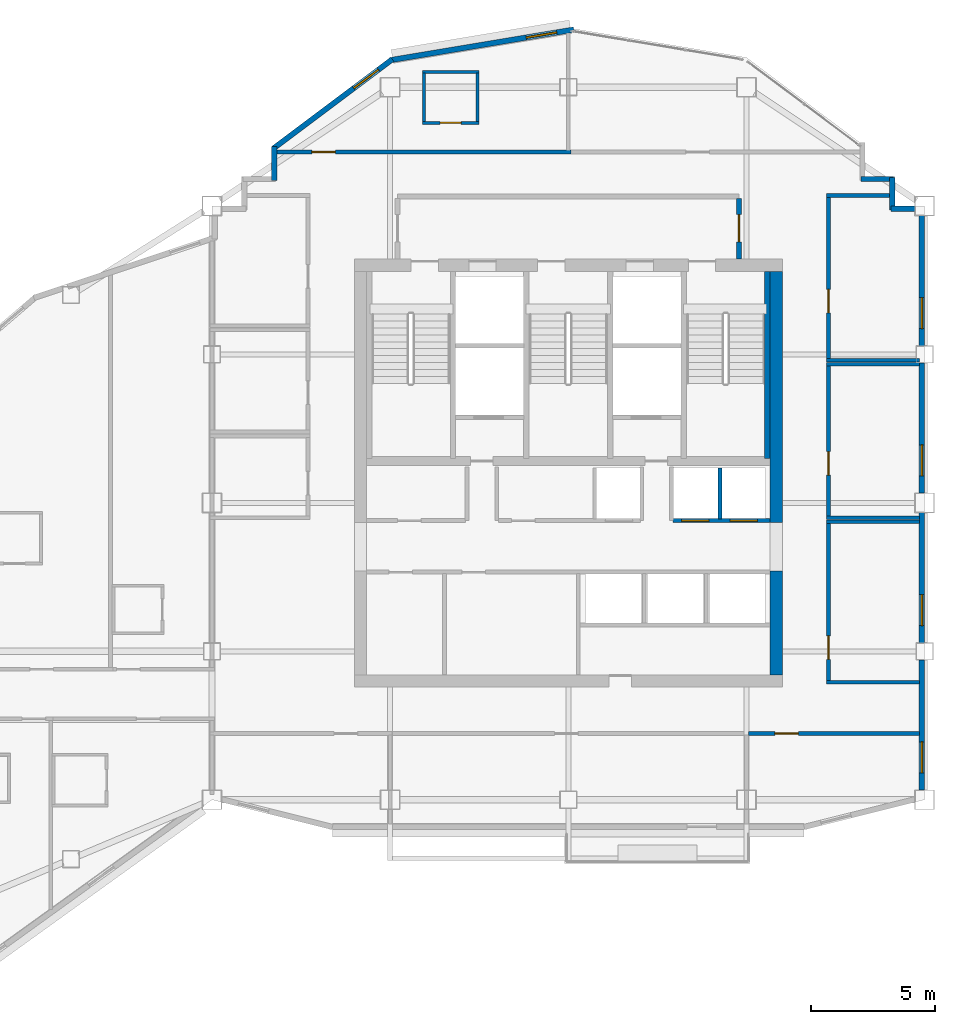
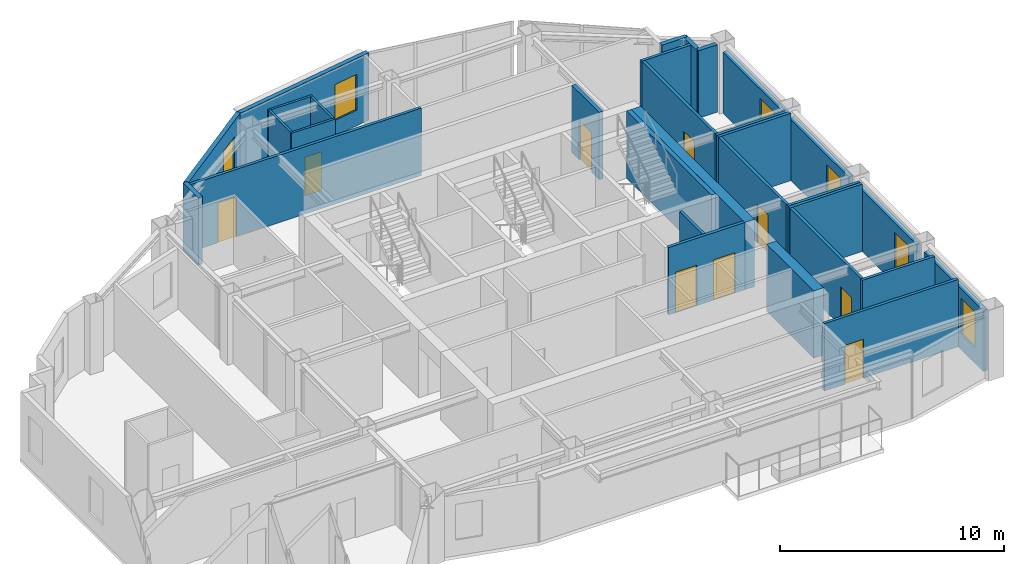
# One storey, part 7 of 10: 31 walls, 9 doors, 6 windows, 15 openings.
"""IFC4 building model written with IfcOpenShell, lengths in metres."""

from ifc_helpers import new_model, si_unit, direction, frame, frame_2d, origin, place, context, subcontext, project, spatial, rectangle, extrude, material, layer, layer_set, type_object, element, fill, save


model = new_model("IFC4")

# Units and contexts
model_context = context("Model", 3, precision=1e-05, world=origin(), true_north=direction((0.0, 1.0)))
body_context = subcontext(model_context, "Body", "Model", "MODEL_VIEW")
ifc_project = project(units=[si_unit("LENGTHUNIT", "METRE"), si_unit("AREAUNIT", "SQUARE_METRE"), si_unit("VOLUMEUNIT", "CUBIC_METRE"), si_unit("PLANEANGLEUNIT", "RADIAN"), si_unit("MASSUNIT", "GRAM", prefix="KILO")], contexts=[model_context])

# Site, building, storey
site_placement = place(None, origin())
site = spatial("IfcSite", under=ifc_project, at=site_placement, CompositionType="ELEMENT")
building_placement = place(site_placement, origin())
building = spatial("IfcBuilding", under=site, at=building_placement, Name="Haolan Belvedere Tower", CompositionType="ELEMENT")
storey_placement = place(building_placement, frame((0.0, 0.0, 246.75)))
storey = spatial("IfcBuildingStorey", under=building, at=storey_placement, Name="L62", CompositionType="ELEMENT", Elevation=246.75)

# Walls
ifc_material_1 = material(Name="Concrete C50/60", Category="concrete")
ifc_layer_1 = layer(ifc_material_1, 0.5, Name="Concrete C50/60")
ifc_layer_set_1 = layer_set([ifc_layer_1], Name="Concrete C50/60")
wall_type_1 = type_object("IfcWallType", Name="WL-CORE-500", PredefinedType="SHEAR", material=ifc_layer_set_1)
wall_1_placement = place(storey_placement, frame((46.800048828125, 26.64990234375, 0.0), z_axis=(0.0, 0.0, 1.0), x_axis=(0.0, 1.0, 0.0)))
element("IfcWall", 1, at=wall_1_placement, inside=storey, type_object=wall_type_1, Name="L62 central core shear wall ES", PredefinedType="SHEAR", context=body_context, shape_type="SweptSolid", body=[
    extrude(rectangle(XDim=4.2001953125, YDim=0.5, at=frame_2d((2.10009765625, 0.0))), origin(), (0.0, 0.0, 1.0), 3.669921875),
])
wall_2_placement = place(storey_placement, frame((46.800048828125, 32.800048828125, 0.0), z_axis=(0.0, 0.0, 1.0), x_axis=(0.0, 1.0, 0.0)))
element("IfcWall", 2, at=wall_2_placement, inside=storey, type_object=wall_type_1, Name="L62 central core shear wall EN", PredefinedType="SHEAR", context=body_context, shape_type="SweptSolid", body=[
    extrude(rectangle(XDim=10.14990234375, YDim=0.5, at=frame_2d((5.074951171875, 0.0))), origin(), (0.0, 0.0, 1.0), 3.669921875),
])

# Wall, opening, window
ifc_material_2 = material(Name="Precast concrete C40/50", Category="concrete")
ifc_layer_2 = layer(ifc_material_2, 0.219970703125, Name="Precast concrete C40/50")
ifc_layer_set_2 = layer_set([ifc_layer_2], Name="Precast concrete C40/50")
wall_type_2 = type_object("IfcWallType", Name="WL-EXT-220", PredefinedType="SOLIDWALL", material=ifc_layer_set_2)
wall_3_placement = place(storey_placement, frame((52.68994140625, 21.991943359375, 0.0), z_axis=(0.0, 0.0, 1.0), x_axis=(0.0, 1.0, 0.0)))
wall_3 = element("IfcWall", 3, at=wall_3_placement, inside=storey, type_object=wall_type_2, Name="L62 pale-metal exterior spandrel wall 3.1", PredefinedType="SOLIDWALL", context=body_context, shape_type="SweptSolid", body=[
    extrude(rectangle(XDim=5.26611328125, YDim=0.219970703125, at=frame_2d((2.633056640625, 0.0))), origin(), (0.0, 0.0, 1.0), 3.31494140625),
])
opening_1_placement = place(wall_3_placement, frame((0.699951171875, 0.0, 0.85009765625)))
opening_1 = element("IfcOpeningElement", 4, at=opening_1_placement, cuts=wall_3, Name="Opening W-04", PredefinedType="OPENING", context=body_context, shape_type="SweptSolid", body=[
    extrude(rectangle(XDim=1.25, YDim=1.949951171875, at=frame_2d((0.625, 0.97509765625))), frame((0.0, 0.119873046875, 0.0), z_axis=(0.0, -1.0, 0.0), x_axis=(1.0, 0.0, 0.0)), (0.0, 0.0, 1.0), 0.239990234375),
])
ifc_material_3 = material(Name="Anodised aluminium 6063-T6 and Low-E glass", Category="aluminium")
window_type = type_object("IfcWindowType", Name="WN-DECO-Z4", PartitioningType="SINGLE_PANEL", PredefinedType="WINDOW", material=ifc_material_3)
window_1_placement = place(opening_1_placement, origin())
window_1 = element("IfcWindow", 5, at=window_1_placement, inside=storey, type_object=window_type, Name="L62 Art Deco chevron window 1", OverallHeight=1.949951171875, OverallWidth=1.25, PartitioningType="SINGLE_PANEL", PredefinedType="WINDOW", context=body_context, shape_type="SweptSolid", body=[
    extrude(rectangle(XDim=1.25, YDim=1.949951171875, at=frame_2d((0.625, 0.97509765625))), frame((0.0, 0.030029296875, 0.0), z_axis=(0.0, -1.0, 0.0), x_axis=(1.0, 0.0, 0.0)), (0.0, 0.0, 1.0), 0.06005859375),
])
fill(opening_1, window_1)

wall_4_placement = place(storey_placement, frame((52.68994140625, 27.94189453125, 0.0), z_axis=(0.0, 0.0, 1.0), x_axis=(0.0, 1.0, 0.0)))
wall_4 = element("IfcWall", 6, at=wall_4_placement, inside=storey, type_object=wall_type_2, Name="L62 pale-metal exterior spandrel wall 3.2", PredefinedType="SOLIDWALL", context=body_context, shape_type="SweptSolid", body=[
    extrude(rectangle(XDim=5.26611328125, YDim=0.219970703125, at=frame_2d((2.633056640625, 0.0))), origin(), (0.0, 0.0, 1.0), 3.31494140625),
])
opening_2_placement = place(wall_4_placement, frame((0.699951171875, 0.0, 0.85009765625)))
opening_2 = element("IfcOpeningElement", 7, at=opening_2_placement, cuts=wall_4, Name="Opening W-04", PredefinedType="OPENING", context=body_context, shape_type="SweptSolid", body=[
    extrude(rectangle(XDim=1.25, YDim=1.949951171875, at=frame_2d((0.625, 0.97509765625))), frame((0.0, 0.119873046875, 0.0), z_axis=(0.0, -1.0, 0.0), x_axis=(1.0, 0.0, 0.0)), (0.0, 0.0, 1.0), 0.239990234375),
])
window_2_placement = place(opening_2_placement, origin())
window_2 = element("IfcWindow", 8, at=window_2_placement, inside=storey, type_object=window_type, Name="L62 Art Deco chevron window 1", OverallHeight=1.949951171875, OverallWidth=1.25, PartitioningType="SINGLE_PANEL", PredefinedType="WINDOW", context=body_context, shape_type="SweptSolid", body=[
    extrude(rectangle(XDim=1.25, YDim=1.949951171875, at=frame_2d((0.625, 0.97509765625))), frame((0.0, 0.030029296875, 0.0), z_axis=(0.0, -1.0, 0.0), x_axis=(1.0, 0.0, 0.0)), (0.0, 0.0, 1.0), 0.06005859375),
])
fill(opening_2, window_2)

wall_5_placement = place(storey_placement, frame((52.68994140625, 33.991943359375, 0.0), z_axis=(0.0, 0.0, 1.0), x_axis=(0.0, 1.0, 0.0)))
wall_5 = element("IfcWall", 9, at=wall_5_placement, inside=storey, type_object=wall_type_2, Name="L62 pale-metal exterior spandrel wall 3.3", PredefinedType="SOLIDWALL", context=body_context, shape_type="SweptSolid", body=[
    extrude(rectangle(XDim=5.26611328125, YDim=0.219970703125, at=frame_2d((2.633056640625, 0.0))), origin(), (0.0, 0.0, 1.0), 3.31494140625),
])
opening_3_placement = place(wall_5_placement, frame((0.699951171875, 0.0, 0.85009765625)))
opening_3 = element("IfcOpeningElement", 10, at=opening_3_placement, cuts=wall_5, Name="Opening W-04", PredefinedType="OPENING", context=body_context, shape_type="SweptSolid", body=[
    extrude(rectangle(XDim=1.25, YDim=1.949951171875, at=frame_2d((0.625, 0.97509765625))), frame((0.0, 0.119873046875, 0.0), z_axis=(0.0, -1.0, 0.0), x_axis=(1.0, 0.0, 0.0)), (0.0, 0.0, 1.0), 0.239990234375),
])
window_3_placement = place(opening_3_placement, origin())
window_3 = element("IfcWindow", 11, at=window_3_placement, inside=storey, type_object=window_type, Name="L62 Art Deco chevron window 1", OverallHeight=1.949951171875, OverallWidth=1.25, PartitioningType="SINGLE_PANEL", PredefinedType="WINDOW", context=body_context, shape_type="SweptSolid", body=[
    extrude(rectangle(XDim=1.25, YDim=1.949951171875, at=frame_2d((0.625, 0.97509765625))), frame((0.0, 0.030029296875, 0.0), z_axis=(0.0, -1.0, 0.0), x_axis=(1.0, 0.0, 0.0)), (0.0, 0.0, 1.0), 0.06005859375),
])
fill(opening_3, window_3)

wall_6_placement = place(storey_placement, frame((52.68994140625, 39.94189453125, 0.0), z_axis=(0.0, 0.0, 1.0), x_axis=(0.0, 1.0, 0.0)))
wall_6 = element("IfcWall", 12, at=wall_6_placement, inside=storey, type_object=wall_type_2, Name="L62 pale-metal exterior spandrel wall 3.4", PredefinedType="SOLIDWALL", context=body_context, shape_type="SweptSolid", body=[
    extrude(rectangle(XDim=5.26611328125, YDim=0.219970703125, at=frame_2d((2.633056640625, 0.0))), origin(), (0.0, 0.0, 1.0), 3.31494140625),
])
opening_4_placement = place(wall_6_placement, frame((0.699951171875, 0.0, 0.85009765625)))
opening_4 = element("IfcOpeningElement", 13, at=opening_4_placement, cuts=wall_6, Name="Opening W-04", PredefinedType="OPENING", context=body_context, shape_type="SweptSolid", body=[
    extrude(rectangle(XDim=1.25, YDim=1.949951171875, at=frame_2d((0.625, 0.97509765625))), frame((0.0, 0.119873046875, 0.0), z_axis=(0.0, -1.0, 0.0), x_axis=(1.0, 0.0, 0.0)), (0.0, 0.0, 1.0), 0.239990234375),
])
window_4_placement = place(opening_4_placement, origin())
window_4 = element("IfcWindow", 14, at=window_4_placement, inside=storey, type_object=window_type, Name="L62 Art Deco chevron window 1", OverallHeight=1.949951171875, OverallWidth=1.25, PartitioningType="SINGLE_PANEL", PredefinedType="WINDOW", context=body_context, shape_type="SweptSolid", body=[
    extrude(rectangle(XDim=1.25, YDim=1.949951171875, at=frame_2d((0.625, 0.97509765625))), frame((0.0, 0.030029296875, 0.0), z_axis=(0.0, -1.0, 0.0), x_axis=(1.0, 0.0, 0.0)), (0.0, 0.0, 1.0), 0.06005859375),
])
fill(opening_4, window_4)

# Walls
wall_7_placement = place(storey_placement, frame((52.407958984375, 45.489990234375, 0.0), z_axis=(0.0, 0.0, 1.0), x_axis=(-1.0, 0.0, 0.0)))
element("IfcWall", 15, at=wall_7_placement, inside=storey, type_object=wall_type_2, Name="L62 pale-metal exterior spandrel wall 4.1", PredefinedType="SOLIDWALL", context=body_context, shape_type="SweptSolid", body=[
    extrude(rectangle(XDim=0.972900390625, YDim=0.219970703125, at=frame_2d((0.486328125, 0.0))), origin(), (0.0, 0.0, 1.0), 3.669921875),
])
wall_8_placement = place(storey_placement, frame((51.489990234375, 45.43505859375, 0.0), z_axis=(0.0, 0.0, 1.0), x_axis=(0.0, 1.0, 0.0)))
element("IfcWall", 16, at=wall_8_placement, inside=storey, type_object=wall_type_2, Name="L62 pale-metal exterior spandrel wall 5.1", PredefinedType="SOLIDWALL", context=body_context, shape_type="SweptSolid", body=[
    extrude(rectangle(XDim=1.31005859375, YDim=0.219970703125, at=frame_2d((0.655029296875, 0.0))), origin(), (0.0, 0.0, 1.0), 3.669921875),
])
wall_9_placement = place(storey_placement, frame((51.544921875, 46.68994140625, 0.0), z_axis=(0.0, 0.0, 1.0), x_axis=(-1.0, 0.0, 0.0)))
element("IfcWall", 17, at=wall_9_placement, inside=storey, type_object=wall_type_2, Name="L62 pale-metal exterior spandrel wall 6.1", PredefinedType="SOLIDWALL", context=body_context, shape_type="SweptSolid", body=[
    extrude(rectangle(XDim=1.309814453125, YDim=0.219970703125, at=frame_2d((0.65478515625, 0.0))), origin(), (0.0, 0.0, 1.0), 3.669921875),
])

# Wall, opening, window
wall_10_placement = place(storey_placement, frame((38.621826171875, 52.7255859375, 0.0), z_axis=(0.0, 0.0, 1.0), x_axis=(-0.986390420428, -0.164420006349, 0.0)))
wall_10 = element("IfcWall", 18, at=wall_10_placement, inside=storey, type_object=wall_type_2, Name="L62 pale-metal exterior spandrel wall 10.1", PredefinedType="SOLIDWALL", context=body_context, shape_type="SweptSolid", body=[
    extrude(rectangle(XDim=7.5341796875, YDim=0.219970703125, at=frame_2d((3.76708984375, 0.0))), origin(), (0.0, 0.0, 1.0), 3.669921875),
])
opening_5_placement = place(wall_10_placement, frame((0.699951171875, 0.0, 0.85009765625)))
opening_5 = element("IfcOpeningElement", 19, at=opening_5_placement, cuts=wall_10, Name="Opening W-04", PredefinedType="OPENING", context=body_context, shape_type="SweptSolid", body=[
    extrude(rectangle(XDim=1.25, YDim=1.949951171875, at=frame_2d((0.625, 0.97509765625))), frame((0.0, 0.119873046875, 0.0), z_axis=(0.0, -1.0, 0.0), x_axis=(1.0, 0.0, 0.0)), (0.0, 0.0, 1.0), 0.239990234375),
])
window_5_placement = place(opening_5_placement, origin())
window_5 = element("IfcWindow", 20, at=window_5_placement, inside=storey, type_object=window_type, Name="L62 Art Deco chevron window 1", OverallHeight=1.949951171875, OverallWidth=1.25, PartitioningType="SINGLE_PANEL", PredefinedType="WINDOW", context=body_context, shape_type="SweptSolid", body=[
    extrude(rectangle(XDim=1.25, YDim=1.949951171875, at=frame_2d((0.625, 0.97509765625))), frame((0.0, 0.030029296875, 0.0), z_axis=(0.0, -1.0, 0.0), x_axis=(1.0, 0.0, 0.0)), (0.0, 0.0, 1.0), 0.06005859375),
])
fill(opening_5, window_5)

wall_11_placement = place(storey_placement, frame((31.28857421875, 51.52880859375, 0.0), z_axis=(0.0, 0.0, 1.0), x_axis=(-0.800014580093, -0.599980559383, 0.0)))
wall_11 = element("IfcWall", 21, at=wall_11_placement, inside=storey, type_object=wall_type_2, Name="L62 pale-metal exterior spandrel wall 11.1", PredefinedType="SOLIDWALL", context=body_context, shape_type="SweptSolid", body=[
    extrude(rectangle(XDim=6.028076171875, YDim=0.219970703125, at=frame_2d((3.01416015625, 0.0))), origin(), (0.0, 0.0, 1.0), 3.669921875),
])
opening_6_placement = place(wall_11_placement, frame((0.699951171875, 0.0, 0.85009765625)))
opening_6 = element("IfcOpeningElement", 22, at=opening_6_placement, cuts=wall_11, Name="Opening W-04", PredefinedType="OPENING", context=body_context, shape_type="SweptSolid", body=[
    extrude(rectangle(XDim=1.25, YDim=1.949951171875, at=frame_2d((0.625, 0.97509765625))), frame((0.0, 0.119873046875, 0.0), z_axis=(0.0, -1.0, 0.0), x_axis=(1.0, 0.0, 0.0)), (0.0, 0.0, 1.0), 0.239990234375),
])
window_6_placement = place(opening_6_placement, origin())
window_6 = element("IfcWindow", 23, at=window_6_placement, inside=storey, type_object=window_type, Name="L62 Art Deco chevron window 1", OverallHeight=1.949951171875, OverallWidth=1.25, PartitioningType="SINGLE_PANEL", PredefinedType="WINDOW", context=body_context, shape_type="SweptSolid", body=[
    extrude(rectangle(XDim=1.25, YDim=1.949951171875, at=frame_2d((0.625, 0.97509765625))), frame((0.0, 0.030029296875, 0.0), z_axis=(0.0, -1.0, 0.0), x_axis=(1.0, 0.0, 0.0)), (0.0, 0.0, 1.0), 0.06005859375),
])
fill(opening_6, window_6)

# Wall
wall_12_placement = place(storey_placement, frame((26.510009765625, 48.0, 0.0), z_axis=(0.0, 0.0, 1.0), x_axis=(0.0, -1.0, 0.0)))
element("IfcWall", 24, at=wall_12_placement, inside=storey, type_object=wall_type_2, Name="L62 pale-metal exterior spandrel wall 12.1", PredefinedType="SOLIDWALL", context=body_context, shape_type="SweptSolid", body=[
    extrude(rectangle(XDim=1.364990234375, YDim=0.219970703125, at=frame_2d((0.6826171875, 0.0))), origin(), (0.0, 0.0, 1.0), 3.669921875),
])

# Wall, opening, door
ifc_material_4 = material(Name="Concrete C40/50", Category="concrete")
ifc_layer_3 = layer(ifc_material_4, 0.199951171875, Name="Concrete C40/50")
ifc_layer_set_3 = layer_set([ifc_layer_3], Name="Concrete C40/50")
wall_type_3 = type_object("IfcWallType", Name="WL-FIRE-200", PredefinedType="SOLIDWALL", material=ifc_layer_set_3)
wall_13_placement = place(storey_placement, frame((45.300048828125, 43.449951171875, 0.0), z_axis=(0.0, 0.0, 1.0), x_axis=(0.0, 1.0, 0.0)))
wall_13 = element("IfcWall", 25, at=wall_13_placement, inside=storey, type_object=wall_type_3, Name="L62 interior partition IW-L62-FFL-E", PredefinedType="SOLIDWALL", context=body_context, shape_type="SweptSolid", body=[
    extrude(rectangle(XDim=2.445068359375, YDim=0.199951171875, at=frame_2d((1.22265625, 0.0))), origin(), (0.0, 0.0, 1.0), 3.669921875),
])
opening_7_placement = place(wall_13_placement, frame((0.699951171875, 0.0, 0.0)))
opening_7 = element("IfcOpeningElement", 26, at=opening_7_placement, cuts=wall_13, Name="Opening FD-03", PredefinedType="OPENING", context=body_context, shape_type="SweptSolid", body=[
    extrude(rectangle(XDim=1.10009765625, YDim=2.14990234375, at=frame_2d((0.550048828125, 1.074951171875))), frame((0.0, 0.10986328125, 0.0), z_axis=(0.0, -1.0, 0.0), x_axis=(1.0, 0.0, 0.0)), (0.0, 0.0, 1.0), 0.219970703125),
])
ifc_material_5 = material(Name="Galvanised fire-rated steel", Category="steel")
door_type_1 = type_object("IfcDoorType", Name="DR-FD90-1100", OperationType="NOTDEFINED", PredefinedType="DOOR", material=ifc_material_5)
door_1_placement = place(opening_7_placement, origin())
door_1 = element("IfcDoor", 27, at=door_1_placement, inside=storey, type_object=door_type_1, Name="L62 door ID-L62-FFL-DE", OperationType="SINGLE_SWING_RIGHT", OverallHeight=2.14990234375, OverallWidth=1.10009765625, PredefinedType="DOOR", context=body_context, shape_type="SweptSolid", body=[
    extrude(rectangle(XDim=1.10009765625, YDim=2.14990234375, at=frame_2d((0.550048828125, 1.074951171875))), frame((0.0, 0.02490234375, 0.0), z_axis=(0.0, -1.0, 0.0), x_axis=(1.0, 0.0, 0.0)), (0.0, 0.0, 1.0), 0.050048828125),
])
fill(opening_7, door_1)

# Walls
ifc_material_6 = material(Name="Double gypsum acoustic stud partition", Category="masonry")
ifc_layer_4 = layer(ifc_material_6, 0.14990234375, Name="Double gypsum acoustic stud partition")
ifc_layer_set_4 = layer_set([ifc_layer_4], Name="Double gypsum acoustic stud partition")
wall_type_4 = type_object("IfcWallType", Name="WL-PART-150", PredefinedType="PARTITIONING", material=ifc_layer_set_4)
for number, where, z_axis, x_axis, name in (
    (28, (48.840087890625, 39.199951171875, 0.0), (0.0, 0.0, 1.0), (1.0, 0.0, 0.0), "L62 interior partition IW-L62-HSK-N"),
    (29, (48.840087890625, 33.0, 0.0), (0.0, 0.0, 1.0), (1.0, 0.0, 0.0), "L62 interior partition IW-L62-HSK-S"),
):
    element("IfcWall", number, at=place(storey_placement, frame(where, z_axis=z_axis, x_axis=x_axis)), inside=storey, type_object=wall_type_4, Name=name, PredefinedType="PARTITIONING", context=body_context, shape_type="SweptSolid", body=[
        extrude(rectangle(XDim=3.747802734375, YDim=0.14990234375, at=frame_2d((1.8740234375, 0.0))), origin(), (0.0, 0.0, 1.0), 3.669921875),
    ])

# Wall, opening, door
wall_14_placement = place(storey_placement, frame((48.919921875, 33.06005859375, 0.0), z_axis=(0.0, 0.0, 1.0), x_axis=(0.0, 1.0, 0.0)))
wall_14 = element("IfcWall", 30, at=wall_14_placement, inside=storey, type_object=wall_type_4, Name="L62 interior partition IW-L62-HSK-W", PredefinedType="PARTITIONING", context=body_context, shape_type="SweptSolid", body=[
    extrude(rectangle(XDim=6.079833984375, YDim=0.14990234375, at=frame_2d((3.0400390625, 0.0))), origin(), (0.0, 0.0, 1.0), 3.669921875),
])
opening_8_placement = place(wall_14_placement, frame((1.659912109375, 0.0, 0.0)))
opening_8 = element("IfcOpeningElement", 31, at=opening_8_placement, cuts=wall_14, Name="Opening ID-03", PredefinedType="OPENING", context=body_context, shape_type="SweptSolid", body=[
    extrude(rectangle(XDim=0.949951171875, YDim=2.1201171875, at=frame_2d((0.47509765625, 1.06005859375))), frame((0.0, 0.0849609375, 0.0), z_axis=(0.0, -1.0, 0.0), x_axis=(1.0, 0.0, 0.0)), (0.0, 0.0, 1.0), 0.169921875),
])
ifc_material_7 = material(Name="Painted solid-core timber", Category="wood")
door_type_2 = type_object("IfcDoorType", Name="DR-INT-950", OperationType="NOTDEFINED", PredefinedType="DOOR", material=ifc_material_7)
door_2_placement = place(opening_8_placement, origin())
door_2 = element("IfcDoor", 32, at=door_2_placement, inside=storey, type_object=door_type_2, Name="L62 door ID-L62-HSK", OperationType="SINGLE_SWING_RIGHT", OverallHeight=2.1201171875, OverallWidth=0.949951171875, PredefinedType="DOOR", context=body_context, shape_type="SweptSolid", body=[
    extrude(rectangle(XDim=0.949951171875, YDim=2.1201171875, at=frame_2d((0.47509765625, 1.06005859375))), frame((0.0, 0.02490234375, 0.0), z_axis=(0.0, -1.0, 0.0), x_axis=(1.0, 0.0, 0.0)), (0.0, 0.0, 1.0), 0.050048828125),
])
fill(opening_8, door_2)

# Walls
wall_15_placement = place(storey_placement, frame((48.840087890625, 46.02001953125, 0.0), z_axis=(0.0, 0.0, 1.0), x_axis=(1.0, 0.0, 0.0)))
element("IfcWall", 33, at=wall_15_placement, inside=storey, type_object=wall_type_4, Name="L62 interior partition IW-L62-MTG-N", PredefinedType="PARTITIONING", context=body_context, shape_type="SweptSolid", body=[
    extrude(rectangle(XDim=2.5478515625, YDim=0.14990234375, at=frame_2d((1.27392578125, 0.0))), origin(), (0.0, 0.0, 1.0), 3.669921875),
])
wall_16_placement = place(storey_placement, frame((48.840087890625, 39.360107421875, 0.0), z_axis=(0.0, 0.0, 1.0), x_axis=(1.0, 0.0, 0.0)))
element("IfcWall", 34, at=wall_16_placement, inside=storey, type_object=wall_type_4, Name="L62 interior partition IW-L62-MTG-S", PredefinedType="PARTITIONING", context=body_context, shape_type="SweptSolid", body=[
    extrude(rectangle(XDim=3.747802734375, YDim=0.14990234375, at=frame_2d((1.8740234375, 0.0))), origin(), (0.0, 0.0, 1.0), 3.669921875),
])

# Wall, opening, door
wall_17_placement = place(storey_placement, frame((48.919921875, 39.419921875, 0.0), z_axis=(0.0, 0.0, 1.0), x_axis=(0.0, 1.0, 0.0)))
wall_17 = element("IfcWall", 35, at=wall_17_placement, inside=storey, type_object=wall_type_4, Name="L62 interior partition IW-L62-MTG-W", PredefinedType="PARTITIONING", context=body_context, shape_type="SweptSolid", body=[
    extrude(rectangle(XDim=6.5400390625, YDim=0.14990234375, at=frame_2d((3.27001953125, 0.0))), origin(), (0.0, 0.0, 1.0), 3.669921875),
])
opening_9_placement = place(wall_17_placement, frame((1.860107421875, 0.0, 0.0)))
opening_9 = element("IfcOpeningElement", 36, at=opening_9_placement, cuts=wall_17, Name="Opening ID-03", PredefinedType="OPENING", context=body_context, shape_type="SweptSolid", body=[
    extrude(rectangle(XDim=0.949951171875, YDim=2.1201171875, at=frame_2d((0.47509765625, 1.06005859375))), frame((0.0, 0.0849609375, 0.0), z_axis=(0.0, -1.0, 0.0), x_axis=(1.0, 0.0, 0.0)), (0.0, 0.0, 1.0), 0.169921875),
])
door_3_placement = place(opening_9_placement, origin())
door_3 = element("IfcDoor", 37, at=door_3_placement, inside=storey, type_object=door_type_2, Name="L62 door ID-L62-MTG", OperationType="SINGLE_SWING_LEFT", OverallHeight=2.1201171875, OverallWidth=0.949951171875, PredefinedType="DOOR", context=body_context, shape_type="SweptSolid", body=[
    extrude(rectangle(XDim=0.949951171875, YDim=2.1201171875, at=frame_2d((0.47509765625, 1.06005859375))), frame((0.0, 0.02490234375, 0.0), z_axis=(0.0, -1.0, 0.0), x_axis=(1.0, 0.0, 0.0)), (0.0, 0.0, 1.0), 0.050048828125),
])
fill(opening_9, door_3)

# Walls
for number, where, z_axis, x_axis, name in (
    (38, (48.840087890625, 32.840087890625, 0.0), (0.0, 0.0, 1.0), (1.0, 0.0, 0.0), "L62 interior partition IW-L62-PKTE-N"),
    (39, (48.840087890625, 26.35009765625, 0.0), (0.0, 0.0, 1.0), (1.0, 0.0, 0.0), "L62 interior partition IW-L62-PKTE-S"),
):
    element("IfcWall", number, at=place(storey_placement, frame(where, z_axis=z_axis, x_axis=x_axis)), inside=storey, type_object=wall_type_4, Name=name, PredefinedType="PARTITIONING", context=body_context, shape_type="SweptSolid", body=[
        extrude(rectangle(XDim=3.747802734375, YDim=0.14990234375, at=frame_2d((1.8740234375, 0.0))), origin(), (0.0, 0.0, 1.0), 3.669921875),
    ])

# Wall, opening, door
wall_18_placement = place(storey_placement, frame((48.919921875, 26.409912109375, 0.0), z_axis=(0.0, 0.0, 1.0), x_axis=(0.0, 1.0, 0.0)))
wall_18 = element("IfcWall", 40, at=wall_18_placement, inside=storey, type_object=wall_type_4, Name="L62 interior partition IW-L62-PKTE-W", PredefinedType="PARTITIONING", context=body_context, shape_type="SweptSolid", body=[
    extrude(rectangle(XDim=6.3701171875, YDim=0.14990234375, at=frame_2d((3.18505859375, 0.0))), origin(), (0.0, 0.0, 1.0), 3.669921875),
])
opening_10_placement = place(wall_18_placement, frame((0.860107421875, 0.0, 0.0)))
opening_10 = element("IfcOpeningElement", 41, at=opening_10_placement, cuts=wall_18, Name="Opening ID-03", PredefinedType="OPENING", context=body_context, shape_type="SweptSolid", body=[
    extrude(rectangle(XDim=0.949951171875, YDim=2.1201171875, at=frame_2d((0.47509765625, 1.06005859375))), frame((0.0, 0.0849609375, 0.0), z_axis=(0.0, -1.0, 0.0), x_axis=(1.0, 0.0, 0.0)), (0.0, 0.0, 1.0), 0.169921875),
])
door_4_placement = place(opening_10_placement, origin())
door_4 = element("IfcDoor", 42, at=door_4_placement, inside=storey, type_object=door_type_2, Name="L62 door ID-L62-PKTE", OperationType="SINGLE_SWING_RIGHT", OverallHeight=2.1201171875, OverallWidth=0.949951171875, PredefinedType="DOOR", context=body_context, shape_type="SweptSolid", body=[
    extrude(rectangle(XDim=0.949951171875, YDim=2.1201171875, at=frame_2d((0.47509765625, 1.06005859375))), frame((0.0, 0.02490234375, 0.0), z_axis=(0.0, -1.0, 0.0), x_axis=(1.0, 0.0, 0.0)), (0.0, 0.0, 1.0), 0.050048828125),
])
fill(opening_10, door_4)

wall_19_placement = place(storey_placement, frame((45.681884765625, 24.280029296875, 0.0), z_axis=(0.0, 0.0, 1.0), x_axis=(1.0, 0.0, 0.0)))
wall_19 = element("IfcWall", 43, at=wall_19_placement, inside=storey, type_object=wall_type_4, Name="L62 interior partition IW-L62-KS3-N", PredefinedType="PARTITIONING", context=body_context, shape_type="SweptSolid", body=[
    extrude(rectangle(XDim=6.906005859375, YDim=0.14990234375, at=frame_2d((3.453125, 0.0))), origin(), (0.0, 0.0, 1.0), 3.669921875),
])
opening_11_placement = place(wall_19_placement, frame((2.01806640625, 0.0, 0.0), z_axis=(0.0, 0.0, 1.0), x_axis=(-1.0, 0.0, 0.0)))
opening_11 = element("IfcOpeningElement", 44, at=opening_11_placement, cuts=wall_19, Name="Opening ID-03", PredefinedType="OPENING", context=body_context, shape_type="SweptSolid", body=[
    extrude(rectangle(XDim=0.949951171875, YDim=2.1201171875, at=frame_2d((0.47509765625, 1.06005859375))), frame((0.0, 0.0849609375, 0.0), z_axis=(0.0, -1.0, 0.0), x_axis=(1.0, 0.0, 0.0)), (0.0, 0.0, 1.0), 0.169921875),
])
door_5_placement = place(opening_11_placement, origin())
door_5 = element("IfcDoor", 45, at=door_5_placement, inside=storey, type_object=door_type_2, Name="L62 door ID-L62-KS3", OperationType="SINGLE_SWING_RIGHT", OverallHeight=2.1201171875, OverallWidth=0.949951171875, PredefinedType="DOOR", context=body_context, shape_type="SweptSolid", body=[
    extrude(rectangle(XDim=0.949951171875, YDim=2.1201171875, at=frame_2d((0.47509765625, 1.06005859375))), frame((0.0, 0.02490234375, 0.0), z_axis=(0.0, -1.0, 0.0), x_axis=(1.0, 0.0, 0.0)), (0.0, 0.0, 1.0), 0.050048828125),
])
fill(opening_11, door_5)

wall_20_placement = place(storey_placement, frame((26.612060546875, 47.780029296875, 0.0), z_axis=(0.0, 0.0, 1.0), x_axis=(1.0, 0.0, 0.0)))
wall_20 = element("IfcWall", 46, at=wall_20_placement, inside=storey, type_object=wall_type_4, Name="L62 interior partition IW-L62-KN1-S", PredefinedType="PARTITIONING", context=body_context, shape_type="SweptSolid", body=[
    extrude(rectangle(XDim=11.887939453125, YDim=0.14990234375, at=frame_2d((5.94384765625, 0.0))), origin(), (0.0, 0.0, 1.0), 3.669921875),
])
opening_12_placement = place(wall_20_placement, frame((1.419921875, 0.0, 0.0)))
opening_12 = element("IfcOpeningElement", 47, at=opening_12_placement, cuts=wall_20, Name="Opening ID-01", PredefinedType="OPENING", context=body_context, shape_type="SweptSolid", body=[
    extrude(rectangle(XDim=0.949951171875, YDim=2.179931640625, at=frame_2d((0.47509765625, 1.08984375))), frame((0.0, 0.0849609375, 0.0), z_axis=(0.0, -1.0, 0.0), x_axis=(1.0, 0.0, 0.0)), (0.0, 0.0, 1.0), 0.169921875),
])
ifc_material_8 = material(Name="Acoustic walnut veneer fire-rated timber", Category="wood")
door_type_3 = type_object("IfcDoorType", Name="DR-SUITE-950", OperationType="NOTDEFINED", PredefinedType="DOOR", material=ifc_material_8)
door_6_placement = place(opening_12_placement, origin())
door_6 = element("IfcDoor", 48, at=door_6_placement, inside=storey, type_object=door_type_3, Name="L62 door ID-L62-KN1-ENT", OperationType="SINGLE_SWING_LEFT", OverallHeight=2.179931640625, OverallWidth=0.949951171875, PredefinedType="DOOR", context=body_context, shape_type="SweptSolid", body=[
    extrude(rectangle(XDim=0.949951171875, YDim=2.179931640625, at=frame_2d((0.47509765625, 1.08984375))), frame((0.0, 0.02490234375, 0.0), z_axis=(0.0, -1.0, 0.0), x_axis=(1.0, 0.0, 0.0)), (0.0, 0.0, 1.0), 0.050048828125),
])
fill(opening_12, door_6)

# Wall, openings, doors
ifc_material_9 = material(Name="Gypsum fire shaftwall assembly", Category="masonry")
ifc_layer_5 = layer(ifc_material_9, 0.1650390625, Name="Gypsum fire shaftwall assembly")
ifc_layer_set_5 = layer_set([ifc_layer_5], Name="Gypsum fire shaftwall assembly")
wall_type_5 = type_object("IfcWallType", Name="WL-SHAFT-160", PredefinedType="SOLIDWALL", material=ifc_layer_set_5)
wall_21_placement = place(storey_placement, frame((42.6298828125, 32.8798828125, 0.0), z_axis=(0.0, 0.0, 1.0), x_axis=(1.0, 0.0, 0.0)))
wall_21 = element("IfcWall", 49, at=wall_21_placement, inside=storey, type_object=wall_type_5, Name="L62 interior partition IW-L62-ROW-PN3", PredefinedType="SOLIDWALL", context=body_context, shape_type="SweptSolid", body=[
    extrude(rectangle(XDim=3.920166015625, YDim=0.159912109375, at=frame_2d((1.9599609375, 0.0))), origin(), (0.0, 0.0, 1.0), 3.669921875),
])
opening_13_placement = place(wall_21_placement, frame((1.4501953125, 0.0, 0.0), z_axis=(0.0, 0.0, 1.0), x_axis=(-1.0, 0.0, 0.0)))
opening_13 = element("IfcOpeningElement", 50, at=opening_13_placement, cuts=wall_21, Name="Opening LD-01", PredefinedType="OPENING", context=body_context, shape_type="SweptSolid", body=[
    extrude(rectangle(XDim=1.10009765625, YDim=2.199951171875, at=frame_2d((0.550048828125, 1.10009765625))), frame((0.0, 0.08984375, 0.0), z_axis=(0.0, -1.0, 0.0), x_axis=(1.0, 0.0, 0.0)), (0.0, 0.0, 1.0), 0.179931640625),
])
opening_14_placement = place(wall_21_placement, frame((3.41015625, 0.0, 0.0), z_axis=(0.0, 0.0, 1.0), x_axis=(-1.0, 0.0, 0.0)))
opening_14 = element("IfcOpeningElement", 51, at=opening_14_placement, cuts=wall_21, Name="Opening LD-01", PredefinedType="OPENING", context=body_context, shape_type="SweptSolid", body=[
    extrude(rectangle(XDim=1.10009765625, YDim=2.199951171875, at=frame_2d((0.550048828125, 1.10009765625))), frame((0.0, 0.08984375, 0.0), z_axis=(0.0, -1.0, 0.0), x_axis=(1.0, 0.0, 0.0)), (0.0, 0.0, 1.0), 0.179931640625),
])
ifc_material_10 = material(Name="Brushed champagne stainless steel 316L", Category="steel")
door_type_4 = type_object("IfcDoorType", Name="DR-LIFT-1100", OperationType="SLIDING_TO_LEFT", PredefinedType="DOOR", material=ifc_material_10)
door_7_placement = place(opening_13_placement, origin())
door_7 = element("IfcDoor", 52, at=door_7_placement, inside=storey, type_object=door_type_4, Name="L62 door ID-L62-LD-PH2", OperationType="SLIDING_TO_RIGHT", OverallHeight=2.199951171875, OverallWidth=1.10009765625, PredefinedType="DOOR", context=body_context, shape_type="SweptSolid", body=[
    extrude(rectangle(XDim=1.10009765625, YDim=2.199951171875, at=frame_2d((0.550048828125, 1.10009765625))), frame((0.0, 0.02490234375, 0.0), z_axis=(0.0, -1.0, 0.0), x_axis=(1.0, 0.0, 0.0)), (0.0, 0.0, 1.0), 0.050048828125),
])
fill(opening_13, door_7)
door_8_placement = place(opening_14_placement, origin())
door_8 = element("IfcDoor", 53, at=door_8_placement, inside=storey, type_object=door_type_4, Name="L62 door ID-L62-LD-PH3", OperationType="SLIDING_TO_RIGHT", OverallHeight=2.199951171875, OverallWidth=1.10009765625, PredefinedType="DOOR", context=body_context, shape_type="SweptSolid", body=[
    extrude(rectangle(XDim=1.10009765625, YDim=2.199951171875, at=frame_2d((0.550048828125, 1.10009765625))), frame((0.0, 0.02490234375, 0.0), z_axis=(0.0, -1.0, 0.0), x_axis=(1.0, 0.0, 0.0)), (0.0, 0.0, 1.0), 0.050048828125),
])
fill(opening_14, door_8)

# Walls
wall_22_placement = place(storey_placement, frame((44.530029296875, 32.949951171875, 0.0), z_axis=(0.0, 0.0, 1.0), x_axis=(0.0, 1.0, 0.0)))
element("IfcWall", 54, at=wall_22_placement, inside=storey, type_object=wall_type_5, Name="L62 interior partition IW-L62-DIV-PH2", PredefinedType="SOLIDWALL", context=body_context, shape_type="SweptSolid", body=[
    extrude(rectangle(XDim=2.050048828125, YDim=0.14990234375, at=frame_2d((1.02490234375, 0.0))), origin(), (0.0, 0.0, 1.0), 3.669921875),
])
ifc_layer_6 = layer(ifc_material_1, 0.219970703125, Name="Concrete C50/60")
ifc_layer_set_6 = layer_set([ifc_layer_6], Name="Concrete C50/60")
wall_type_6 = type_object("IfcWallType", Name="WL-STAIR-220", PredefinedType="SHEAR", material=ifc_layer_set_6)
wall_23_placement = place(storey_placement, frame((46.43798828125, 35.389892578125, 0.0), z_axis=(0.0, 0.0, 1.0), x_axis=(0.0, 1.0, 0.0)))
element("IfcWall", 55, at=wall_23_placement, inside=storey, type_object=wall_type_6, Name="L62 structural stair core wall ST2E", PredefinedType="SHEAR", context=body_context, shape_type="SweptSolid", body=[
    extrude(rectangle(XDim=7.56005859375, YDim=0.219970703125, at=frame_2d((3.780029296875, 0.0))), origin(), (0.0, 0.0, 1.0), 3.669921875),
])
ifc_material_11 = material(Name="Moisture-resistant gypsum tile partition", Category="masonry")
ifc_layer_7 = layer(ifc_material_11, 0.1201171875, Name="Moisture-resistant gypsum tile partition")
ifc_layer_set_7 = layer_set([ifc_layer_7], Name="Moisture-resistant gypsum tile partition")
wall_type_7 = type_object("IfcWallType", Name="WL-WET-120", PredefinedType="PARTITIONING", material=ifc_layer_set_7)
wall_24_placement = place(storey_placement, frame((32.510986328125, 51.010009765625, 0.0), z_axis=(0.0, 0.0, 1.0), x_axis=(1.0, 0.0, 0.0)))
element("IfcWall", 56, at=wall_24_placement, inside=storey, type_object=wall_type_7, Name="L62 interior partition IW-L62-KN1-BN", PredefinedType="PARTITIONING", context=body_context, shape_type="SweptSolid", body=[
    extrude(rectangle(XDim=2.27001953125, YDim=0.1201171875, at=frame_2d((1.135009765625, 0.0))), origin(), (0.0, 0.0, 1.0), 3.669921875),
])

# Wall, opening, door
wall_25_placement = place(storey_placement, frame((32.510986328125, 48.9599609375, 0.0), z_axis=(0.0, 0.0, 1.0), x_axis=(1.0, 0.0, 0.0)))
wall_25 = element("IfcWall", 57, at=wall_25_placement, inside=storey, type_object=wall_type_7, Name="L62 interior partition IW-L62-KN1-BS", PredefinedType="PARTITIONING", context=body_context, shape_type="SweptSolid", body=[
    extrude(rectangle(XDim=2.27001953125, YDim=0.1201171875, at=frame_2d((1.135009765625, 0.0))), origin(), (0.0, 0.0, 1.0), 3.669921875),
])
opening_15_placement = place(wall_25_placement, frame((0.7099609375, 0.0, 0.0)))
opening_15 = element("IfcOpeningElement", 58, at=opening_15_placement, cuts=wall_25, Name="Opening ID-05", PredefinedType="OPENING", context=body_context, shape_type="SweptSolid", body=[
    extrude(rectangle(XDim=0.85009765625, YDim=2.10009765625, at=frame_2d((0.425048828125, 1.050048828125))), frame((0.0, 0.070068359375, 0.0), z_axis=(0.0, -1.0, 0.0), x_axis=(1.0, 0.0, 0.0)), (0.0, 0.0, 1.0), 0.14013671875),
])
ifc_material_12 = material(Name="Moisture-resistant lacquered timber", Category="wood")
door_type_5 = type_object("IfcDoorType", Name="DR-BATH-850", OperationType="NOTDEFINED", PredefinedType="DOOR", material=ifc_material_12)
door_9_placement = place(opening_15_placement, origin())
door_9 = element("IfcDoor", 59, at=door_9_placement, inside=storey, type_object=door_type_5, Name="L62 door ID-L62-KN1-BATH", OperationType="SINGLE_SWING_RIGHT", OverallHeight=2.10009765625, OverallWidth=0.85009765625, PredefinedType="DOOR", context=body_context, shape_type="SweptSolid", body=[
    extrude(rectangle(XDim=0.85009765625, YDim=2.10009765625, at=frame_2d((0.425048828125, 1.050048828125))), frame((0.0, 0.02490234375, 0.0), z_axis=(0.0, -1.0, 0.0), x_axis=(1.0, 0.0, 0.0)), (0.0, 0.0, 1.0), 0.050048828125),
])
fill(opening_15, door_9)

# Walls
for number, where, z_axis, x_axis, name in (
    (60, (32.571044921875, 49.0048828125, 0.0), (0.0, 0.0, 1.0), (0.0, 1.0, 0.0), "L62 interior partition IW-L62-KN1-BW"),
    (61, (34.720947265625, 49.0048828125, 0.0), (0.0, 0.0, 1.0), (0.0, 1.0, 0.0), "L62 interior partition IW-L62-KN1-BE"),
):
    element("IfcWall", number, at=place(storey_placement, frame(where, z_axis=z_axis, x_axis=x_axis)), inside=storey, type_object=wall_type_7, Name=name, PredefinedType="PARTITIONING", context=body_context, shape_type="SweptSolid", body=[
        extrude(rectangle(XDim=1.960205078125, YDim=0.1201171875, at=frame_2d((0.97998046875, 0.0))), origin(), (0.0, 0.0, 1.0), 3.669921875),
    ])

save(model, "model.ifc")
